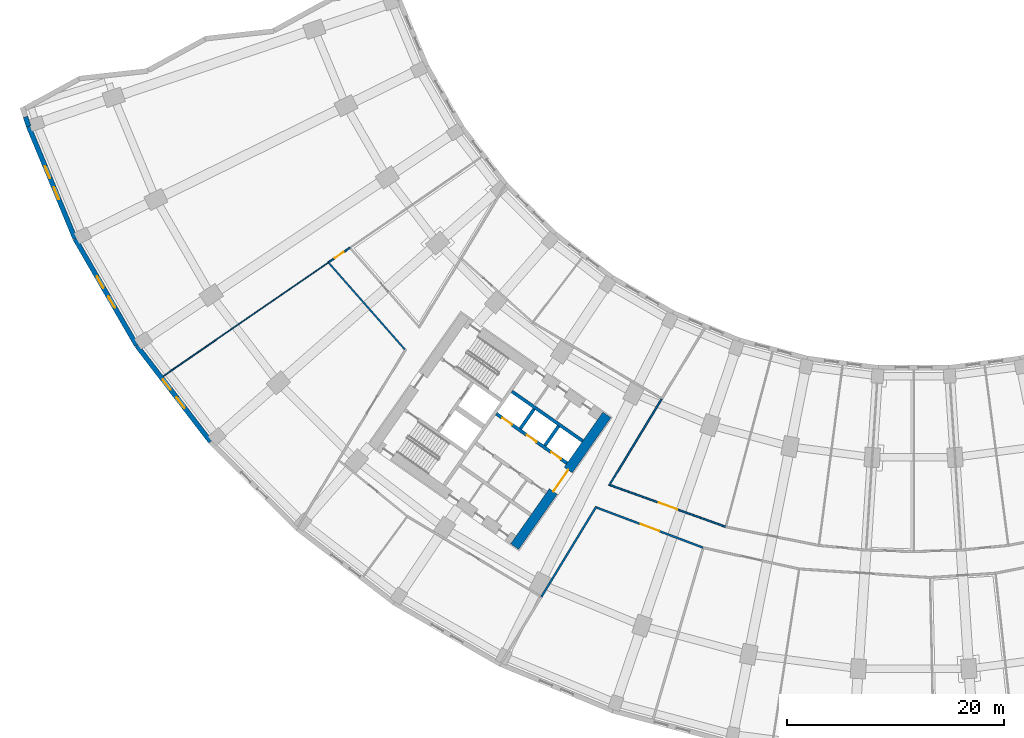
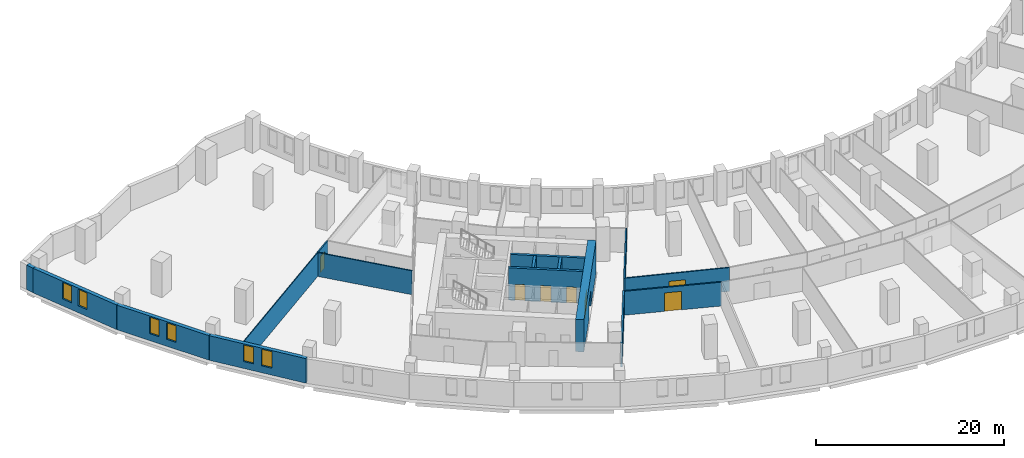
# One storey, part 6 of 19: 16 walls, 7 doors, 6 windows, 13 openings.
"""IFC4 building model written with IfcOpenShell, lengths in metres."""

from ifc_helpers import new_model, si_unit, direction, frame, frame_2d, origin, place, context, subcontext, project, spatial, rectangle, extrude, material, layer, layer_set, type_object, element, fill, save


model = new_model("IFC4")

# Units and contexts
model_context = context("Model", 3, precision=1e-05, world=origin(), true_north=direction((0.0, 1.0)))
body_context = subcontext(model_context, "Body", "Model", "MODEL_VIEW")
ifc_project = project(units=[si_unit("LENGTHUNIT", "METRE"), si_unit("AREAUNIT", "SQUARE_METRE"), si_unit("VOLUMEUNIT", "CUBIC_METRE"), si_unit("PLANEANGLEUNIT", "RADIAN"), si_unit("MASSUNIT", "GRAM", prefix="KILO")], contexts=[model_context])

# Site, building, storey
site_placement = place(None, origin())
site = spatial("IfcSite", under=ifc_project, at=site_placement, CompositionType="ELEMENT")
building_placement = place(site_placement, origin())
building = spatial("IfcBuilding", under=site, at=building_placement, Name="Qamariyya Broadcast Tower", CompositionType="ELEMENT")
storey_placement = place(building_placement, frame((0.0, 0.0, 36.0)))
storey = spatial("IfcBuildingStorey", under=building, at=storey_placement, Name="L05", CompositionType="ELEMENT", Elevation=36.0)

# Wall, opening, door
ifc_material_1 = material(Name="Concrete C70/85", Category="concrete")
ifc_layer_1 = layer(ifc_material_1, 0.89990234375)
ifc_layer_set_1 = layer_set([ifc_layer_1], Name="Core wall 900 mm Concrete C70/85")
wall_type_1 = type_object("IfcWallType", Name="Core wall 900 mm Concrete C70/85", PredefinedType="SHEAR", material=ifc_layer_set_1)
wall_1_placement = place(storey_placement, frame((-36.716796875, -66.3369140625, 0.0), z_axis=(0.0, 0.0, 1.0), x_axis=(0.573577477574, 0.819151315216, 0.0)))
wall_1 = element("IfcWall", 1, at=wall_1_placement, inside=storey, type_object=wall_type_1, Name="k-W-L05-WA", PredefinedType="SHEAR", context=body_context, shape_type="SweptSolid", body=[
    extrude(rectangle(XDim=14.800048828125, YDim=0.89990234375, at=frame_2d((7.39990234375, 0.0))), origin(), (0.0, 0.0, 1.0), 4.199951171875),
])
opening_1_placement = place(wall_1_placement, frame((6.199951171875, 0.0, 0.0)))
opening_1 = element("IfcOpeningElement", 2, at=opening_1_placement, cuts=wall_1, Name="Opening KD3-W1", PredefinedType="OPENING", context=body_context, shape_type="SweptSolid", body=[
    extrude(rectangle(XDim=2.39990234375, YDim=2.10009765625, at=frame_2d((1.199951171875, 1.050048828125))), frame((0.0, 0.4599609375, 0.0), z_axis=(0.0, -1.0, 0.0), x_axis=(1.0, 0.0, 0.0)), (0.0, 0.0, 1.0), 0.919921875),
])
ifc_material_2 = material(Name="Steel fire-resisting door leaf", Category="steel")
door_type_1 = type_object("IfcDoorType", Name="Lift lobby door KD3", OperationType="DOUBLE_DOOR_SINGLE_SWING", PredefinedType="DOOR", material=ifc_material_2)
door_1_placement = place(opening_1_placement, origin())
door_1 = element("IfcDoor", 3, at=door_1_placement, inside=storey, type_object=door_type_1, Name="k-W-L05-WA-D1", OperationType="DOUBLE_DOOR_SINGLE_SWING", OverallHeight=2.10009765625, OverallWidth=2.39990234375, PredefinedType="DOOR", context=body_context, shape_type="SweptSolid", body=[
    extrude(rectangle(XDim=2.39990234375, YDim=2.10009765625, at=frame_2d((1.199951171875, 1.050048828125))), frame((0.0, 0.02490234375, 0.0), z_axis=(0.0, -1.0, 0.0), x_axis=(1.0, 0.0, 0.0)), (0.0, 0.0, 1.0), 0.050048828125),
])
fill(opening_1, door_1)

ifc_material_3 = material(Name="Gypsum board partition")
ifc_layer_2 = layer(ifc_material_3, 0.14990234375)
ifc_layer_set_2 = layer_set([ifc_layer_2], Name="Corridor partition 150 EI 60")
wall_type_2 = type_object("IfcWallType", Name="Corridor partition 150 EI 60", PredefinedType="PARTITIONING", material=ifc_layer_set_2)
wall_2_placement = place(storey_placement, frame((-53.860107421875, -40.186279296875, 0.0), z_axis=(0.0, 0.0, 1.0), x_axis=(0.823653203434, 0.567093819815, 0.0)))
wall_2 = element("IfcWall", 4, at=wall_2_placement, inside=storey, type_object=wall_type_2, Name="Partition L05-002", PredefinedType="PARTITIONING", context=body_context, shape_type="SweptSolid", body=[
    extrude(rectangle(XDim=2.40185546875, YDim=0.14990234375, at=frame_2d((1.200927734375, 0.0))), origin(), (0.0, 0.0, 1.0), 3.10009765625),
])
opening_2_placement = place(wall_2_placement, frame((0.700927734375, 0.0, 0.0)))
opening_2 = element("IfcOpeningElement", 5, at=opening_2_placement, cuts=wall_2, Name="Opening L05-D21", PredefinedType="OPENING", context=body_context, shape_type="SweptSolid", body=[
    extrude(rectangle(XDim=1.0, YDim=2.10009765625, at=frame_2d((0.5, 1.050048828125))), frame((0.0, 0.0849609375, 0.0), z_axis=(0.0, -1.0, 0.0), x_axis=(1.0, 0.0, 0.0)), (0.0, 0.0, 1.0), 0.169921875),
])
ifc_material_4 = material(Name="Timber fire door leaf", Category="wood")
door_type_2 = type_object("IfcDoorType", Name="Fire door 1000 x 2100 FD60", OperationType="NOTDEFINED", PredefinedType="DOOR", material=ifc_material_4)
door_2_placement = place(opening_2_placement, origin())
door_2 = element("IfcDoor", 6, at=door_2_placement, inside=storey, type_object=door_type_2, Name="Door L05-D21", OperationType="SINGLE_SWING_RIGHT", OverallHeight=2.10009765625, OverallWidth=1.0, PredefinedType="DOOR", context=body_context, shape_type="SweptSolid", body=[
    extrude(rectangle(XDim=1.0, YDim=2.10009765625, at=frame_2d((0.5, 1.050048828125))), frame((0.0, 0.02490234375, 0.0), z_axis=(0.0, -1.0, 0.0), x_axis=(1.0, 0.0, 0.0)), (0.0, 0.0, 1.0), 0.050048828125),
])
fill(opening_2, door_2)

# Wall
wall_3_placement = place(storey_placement, frame((-46.831787109375, -48.185302734375, 0.0), z_axis=(0.0, 0.0, 1.0), x_axis=(-0.6600545931, 0.75121763433, 0.0)))
element("IfcWall", 7, at=wall_3_placement, inside=storey, type_object=wall_type_2, Name="Partition L05-007", PredefinedType="PARTITIONING", context=body_context, shape_type="SweptSolid", body=[
    extrude(rectangle(XDim=10.572998046875, YDim=0.14990234375, at=frame_2d((5.28662109375, 0.0))), origin(), (0.0, 0.0, 1.0), 3.10009765625),
])

# Wall, opening, door
wall_4_placement = place(storey_placement, frame((-27.919921875, -60.678466796875, 0.0), z_axis=(0.0, 0.0, 1.0), x_axis=(0.940369024046, -0.340155991589, 0.0)))
wall_4 = element("IfcWall", 8, at=wall_4_placement, inside=storey, type_object=wall_type_2, Name="Partition L05-019", PredefinedType="PARTITIONING", context=body_context, shape_type="SweptSolid", body=[
    extrude(rectangle(XDim=11.304931640625, YDim=0.14990234375, at=frame_2d((5.65234375, 0.0))), origin(), (0.0, 0.0, 1.0), 3.10009765625),
])
opening_3_placement = place(wall_4_placement, frame((4.75244140625, 0.0, 0.0)))
opening_3 = element("IfcOpeningElement", 9, at=opening_3_placement, cuts=wall_4, Name="Opening L05-D08", PredefinedType="OPENING", context=body_context, shape_type="SweptSolid", body=[
    extrude(rectangle(XDim=1.800048828125, YDim=2.10009765625, at=frame_2d((0.89990234375, 1.050048828125))), frame((0.0, 0.0849609375, 0.0), z_axis=(0.0, -1.0, 0.0), x_axis=(1.0, 0.0, 0.0)), (0.0, 0.0, 1.0), 0.169921875),
])
door_type_3 = type_object("IfcDoorType", Name="Double fire door 1800 x 2100 FD60", OperationType="NOTDEFINED", PredefinedType="DOOR", material=ifc_material_4)
door_3_placement = place(opening_3_placement, origin())
door_3 = element("IfcDoor", 10, at=door_3_placement, inside=storey, type_object=door_type_3, Name="Door L05-D08", OperationType="DOUBLE_DOOR_SINGLE_SWING", OverallHeight=2.10009765625, OverallWidth=1.800048828125, PredefinedType="DOOR", context=body_context, shape_type="SweptSolid", body=[
    extrude(rectangle(XDim=1.800048828125, YDim=2.10009765625, at=frame_2d((0.89990234375, 1.050048828125))), frame((0.0, 0.02490234375, 0.0), z_axis=(0.0, -1.0, 0.0), x_axis=(1.0, 0.0, 0.0)), (0.0, 0.0, 1.0), 0.050048828125),
])
fill(opening_3, door_3)

# Wall
wall_5_placement = place(storey_placement, frame((-23.174072265625, -52.732421875, 0.0), z_axis=(0.0, 0.0, 1.0), x_axis=(-0.519577254173, -0.854423476355, 0.0)))
element("IfcWall", 11, at=wall_5_placement, inside=storey, type_object=wall_type_2, Name="Partition L05-021", PredefinedType="PARTITIONING", context=body_context, shape_type="SweptSolid", body=[
    extrude(rectangle(XDim=9.344970703125, YDim=0.14990234375, at=frame_2d((4.67236328125, 0.0))), origin(), (0.0, 0.0, 1.0), 3.10009765625),
])

# Wall, openings, doors
ifc_material_5 = material(Name="Concrete C60/75", Category="concrete")
ifc_layer_3 = layer(ifc_material_5, 0.300048828125)
ifc_layer_set_3 = layer_set([ifc_layer_3], Name="Lift shaft wall 300 mm Concrete C60/75")
wall_type_3 = type_object("IfcWallType", Name="Lift shaft wall 300 mm Concrete C60/75", PredefinedType="SOLIDWALL", material=ifc_layer_set_3)
wall_6_placement = place(storey_placement, frame((-31.89453125, -58.66552734375, 0.0), z_axis=(0.0, 0.0, 1.0), x_axis=(-0.819166993208, 0.573555086491, 0.0)))
wall_6 = element("IfcWall", 12, at=wall_6_placement, inside=storey, type_object=wall_type_3, Name="k-W-L05-NF0", PredefinedType="SOLIDWALL", context=body_context, shape_type="SweptSolid", body=[
    extrude(rectangle(XDim=7.9501953125, YDim=0.300048828125, at=frame_2d((3.97509765625, 0.0))), origin(), (0.0, 0.0, 1.0), 4.199951171875),
])
opening_4_placement = place(wall_6_placement, frame((0.675048828125, 0.0, 0.0)))
opening_4 = element("IfcOpeningElement", 13, at=opening_4_placement, cuts=wall_6, Name="Opening LD", PredefinedType="OPENING", context=body_context, shape_type="SweptSolid", body=[
    extrude(rectangle(XDim=1.10009765625, YDim=2.10009765625, at=frame_2d((0.550048828125, 1.050048828125))), frame((0.0, 0.159912109375, 0.0), z_axis=(0.0, -1.0, 0.0), x_axis=(1.0, 0.0, 0.0)), (0.0, 0.0, 1.0), 0.320068359375),
])
opening_5_placement = place(wall_6_placement, frame((3.425048828125, 0.0, 0.0)))
opening_5 = element("IfcOpeningElement", 14, at=opening_5_placement, cuts=wall_6, Name="Opening LD", PredefinedType="OPENING", context=body_context, shape_type="SweptSolid", body=[
    extrude(rectangle(XDim=1.10009765625, YDim=2.10009765625, at=frame_2d((0.550048828125, 1.050048828125))), frame((0.0, 0.159912109375, 0.0), z_axis=(0.0, -1.0, 0.0), x_axis=(1.0, 0.0, 0.0)), (0.0, 0.0, 1.0), 0.320068359375),
])
opening_6_placement = place(wall_6_placement, frame((6.175048828125, 0.0, 0.0)))
opening_6 = element("IfcOpeningElement", 15, at=opening_6_placement, cuts=wall_6, Name="Opening LD", PredefinedType="OPENING", context=body_context, shape_type="SweptSolid", body=[
    extrude(rectangle(XDim=1.10009765625, YDim=2.10009765625, at=frame_2d((0.550048828125, 1.050048828125))), frame((0.0, 0.159912109375, 0.0), z_axis=(0.0, -1.0, 0.0), x_axis=(1.0, 0.0, 0.0)), (0.0, 0.0, 1.0), 0.320068359375),
])
door_type_4 = type_object("IfcDoorType", Name="Lift landing door LD", OperationType="DOUBLE_DOOR_SLIDING", PredefinedType="DOOR", material=ifc_material_2)
door_4_placement = place(opening_4_placement, origin())
door_4 = element("IfcDoor", 16, at=door_4_placement, inside=storey, type_object=door_type_4, Name="k-W-L05-NF0-D2", OperationType="DOUBLE_DOOR_SLIDING", OverallHeight=2.10009765625, OverallWidth=1.10009765625, PredefinedType="DOOR", context=body_context, shape_type="SweptSolid", body=[
    extrude(rectangle(XDim=1.10009765625, YDim=2.10009765625, at=frame_2d((0.550048828125, 1.050048828125))), frame((0.0, 0.02490234375, 0.0), z_axis=(0.0, -1.0, 0.0), x_axis=(1.0, 0.0, 0.0)), (0.0, 0.0, 1.0), 0.050048828125),
])
fill(opening_4, door_4)
door_5_placement = place(opening_5_placement, origin())
door_5 = element("IfcDoor", 17, at=door_5_placement, inside=storey, type_object=door_type_4, Name="k-W-L05-NF0-D3", OperationType="DOUBLE_DOOR_SLIDING", OverallHeight=2.10009765625, OverallWidth=1.10009765625, PredefinedType="DOOR", context=body_context, shape_type="SweptSolid", body=[
    extrude(rectangle(XDim=1.10009765625, YDim=2.10009765625, at=frame_2d((0.550048828125, 1.050048828125))), frame((0.0, 0.02490234375, 0.0), z_axis=(0.0, -1.0, 0.0), x_axis=(1.0, 0.0, 0.0)), (0.0, 0.0, 1.0), 0.050048828125),
])
fill(opening_5, door_5)
door_6_placement = place(opening_6_placement, origin())
door_6 = element("IfcDoor", 18, at=door_6_placement, inside=storey, type_object=door_type_4, Name="k-W-L05-NF0-D4", OperationType="DOUBLE_DOOR_SLIDING", OverallHeight=2.10009765625, OverallWidth=1.10009765625, PredefinedType="DOOR", context=body_context, shape_type="SweptSolid", body=[
    extrude(rectangle(XDim=1.10009765625, YDim=2.10009765625, at=frame_2d((0.550048828125, 1.050048828125))), frame((0.0, 0.02490234375, 0.0), z_axis=(0.0, -1.0, 0.0), x_axis=(1.0, 0.0, 0.0)), (0.0, 0.0, 1.0), 0.050048828125),
])
fill(opening_6, door_6)

# Walls
wall_7_placement = place(storey_placement, frame((-30.460693359375, -56.61767578125, 0.0), z_axis=(0.0, 0.0, 1.0), x_axis=(-0.819142461705, 0.573590121456, 0.0)))
element("IfcWall", 19, at=wall_7_placement, inside=storey, type_object=wall_type_3, Name="k-W-L05-NB0", PredefinedType="SOLIDWALL", context=body_context, shape_type="SweptSolid", body=[
    extrude(rectangle(XDim=7.949951171875, YDim=0.300048828125, at=frame_2d((3.97509765625, 0.0))), origin(), (0.0, 0.0, 1.0), 4.199951171875),
])
wall_8_placement = place(storey_placement, frame((-33.9384765625, -57.051513671875, 0.0), z_axis=(0.0, 0.0, 1.0), x_axis=(0.573581496053, 0.819148501424, 0.0)))
element("IfcWall", 20, at=wall_8_placement, inside=storey, type_object=wall_type_3, Name="k-W-L05-ND0", PredefinedType="SOLIDWALL", context=body_context, shape_type="SweptSolid", body=[
    extrude(rectangle(XDim=2.2001953125, YDim=0.300048828125, at=frame_2d((1.10009765625, 0.0))), origin(), (0.0, 0.0, 1.0), 4.199951171875),
])
wall_9_placement = place(storey_placement, frame((-36.19091796875, -55.47412109375, 0.0), z_axis=(0.0, 0.0, 1.0), x_axis=(0.573507030513, 0.819200638399, 0.0)))
element("IfcWall", 21, at=wall_9_placement, inside=storey, type_object=wall_type_3, Name="k-W-L05-ND1", PredefinedType="SOLIDWALL", context=body_context, shape_type="SweptSolid", body=[
    extrude(rectangle(XDim=2.199951171875, YDim=0.300048828125, at=frame_2d((1.10009765625, 0.0))), origin(), (0.0, 0.0, 1.0), 4.199951171875),
])
ifc_layer_4 = layer(ifc_material_3, 0.10009765625)
ifc_layer_set_4 = layer_set([ifc_layer_4], Name="Partition 100")
wall_type_4 = type_object("IfcWallType", Name="Partition 100", PredefinedType="PARTITIONING", material=ifc_layer_set_4)
wall_10_placement = place(storey_placement, frame((-69.05419921875, -50.646240234375, 0.0), z_axis=(0.0, 0.0, 1.0), x_axis=(0.82368687208, 0.567044916002, 0.0)))
element("IfcWall", 22, at=wall_10_placement, inside=storey, type_object=wall_type_4, Name="Partition L05-001", PredefinedType="PARTITIONING", context=body_context, shape_type="SweptSolid", body=[
    extrude(rectangle(XDim=18.446533203125, YDim=0.10009765625, at=frame_2d((9.22314453125, 0.0))), origin(), (0.0, 0.0, 1.0), 3.10009765625),
])
ifc_material_6 = material(Name="Precast concrete C40/50 with terracotta facing", Category="masonry")
ifc_layer_5 = layer(ifc_material_6, 0.449951171875)
ifc_layer_set_5 = layer_set([ifc_layer_5], Name="Precast concrete C40/50 wall 450, terracotta faced")
wall_type_5 = type_object("IfcWallType", Name="Precast concrete C40/50 wall 450, terracotta faced", PredefinedType="SOLIDWALL", material=ifc_layer_set_5)
wall_11_placement = place(storey_placement, frame((-81.740234375, -26.7958984375, 0.0), z_axis=(0.0, 0.0, 1.0), x_axis=(0.311634105085, -0.950202180879, 0.0)))
element("IfcWall", 23, at=wall_11_placement, inside=storey, type_object=wall_type_5, Name="e-wl-L05-out01", PredefinedType="SOLIDWALL", context=body_context, shape_type="SweptSolid", body=[
    extrude(rectangle(XDim=0.90966796875, YDim=0.449951171875, at=frame_2d((0.454833984375, 0.0))), origin(), (0.0, 0.0, 1.0), 3.199951171875),
])

# Wall, openings, windows
wall_12_placement = place(storey_placement, frame((-81.449462890625, -27.675537109375, 0.0), z_axis=(0.0, 0.0, 1.0), x_axis=(0.382700611107, -0.923872416656, 0.0)))
wall_12 = element("IfcWall", 24, at=wall_12_placement, inside=storey, type_object=wall_type_5, Name="e-wl-L05-out10", PredefinedType="SOLIDWALL", context=body_context, shape_type="SweptSolid", body=[
    extrude(rectangle(XDim=11.167724609375, YDim=0.449951171875, at=frame_2d((5.583984375, 0.0))), origin(), (0.0, 0.0, 1.0), 3.199951171875),
])
opening_7_placement = place(wall_12_placement, frame((3.95068359375, 0.0, 0.89990234375)))
opening_7 = element("IfcOpeningElement", 25, at=opening_7_placement, cuts=wall_12, Name="Opening W3", PredefinedType="OPENING", context=body_context, shape_type="SweptSolid", body=[
    extrude(rectangle(XDim=1.199951171875, YDim=2.14990234375, at=frame_2d((0.60009765625, 1.074951171875))), frame((0.0, 0.23486328125, 0.0), z_axis=(0.0, -1.0, 0.0), x_axis=(1.0, 0.0, 0.0)), (0.0, 0.0, 1.0), 0.469970703125),
])
opening_8_placement = place(wall_12_placement, frame((6.050537109375, 0.0, 0.89990234375)))
opening_8 = element("IfcOpeningElement", 26, at=opening_8_placement, cuts=wall_12, Name="Opening W3", PredefinedType="OPENING", context=body_context, shape_type="SweptSolid", body=[
    extrude(rectangle(XDim=1.199951171875, YDim=2.14990234375, at=frame_2d((0.60009765625, 1.074951171875))), frame((0.0, 0.23486328125, 0.0), z_axis=(0.0, -1.0, 0.0), x_axis=(1.0, 0.0, 0.0)), (0.0, 0.0, 1.0), 0.469970703125),
])
ifc_material_7 = material(Name="Clear low-e double glazed unit in aluminium frame", Category="aluminium")
window_type = type_object("IfcWindowType", Name="Podium window 1200 x 2150", PartitioningType="SINGLE_PANEL", PredefinedType="WINDOW", material=ifc_material_7)
window_1_placement = place(opening_7_placement, origin())
window_1 = element("IfcWindow", 27, at=window_1_placement, inside=storey, type_object=window_type, Name="e-w-L05-out01a", OverallHeight=2.14990234375, OverallWidth=1.199951171875, PartitioningType="SINGLE_PANEL", PredefinedType="WINDOW", context=body_context, shape_type="SweptSolid", body=[
    extrude(rectangle(XDim=1.199951171875, YDim=2.14990234375, at=frame_2d((0.60009765625, 1.074951171875))), frame((0.0, 0.030029296875, 0.0), z_axis=(0.0, -1.0, 0.0), x_axis=(1.0, 0.0, 0.0)), (0.0, 0.0, 1.0), 0.06005859375),
])
fill(opening_7, window_1)
window_2_placement = place(opening_8_placement, origin())
window_2 = element("IfcWindow", 28, at=window_2_placement, inside=storey, type_object=window_type, Name="e-w-L05-out01b", OverallHeight=2.14990234375, OverallWidth=1.199951171875, PartitioningType="SINGLE_PANEL", PredefinedType="WINDOW", context=body_context, shape_type="SweptSolid", body=[
    extrude(rectangle(XDim=1.199951171875, YDim=2.14990234375, at=frame_2d((0.60009765625, 1.074951171875))), frame((0.0, 0.030029296875, 0.0), z_axis=(0.0, -1.0, 0.0), x_axis=(1.0, 0.0, 0.0)), (0.0, 0.0, 1.0), 0.06005859375),
])
fill(opening_8, window_2)

wall_13_placement = place(storey_placement, frame((-77.16796875, -38.021728515625, 0.0), z_axis=(0.0, 0.0, 1.0), x_axis=(0.500001430823, -0.866024577697, 0.0)))
wall_13 = element("IfcWall", 29, at=wall_13_placement, inside=storey, type_object=wall_type_5, Name="e-wl-L05-out20", PredefinedType="SOLIDWALL", context=body_context, shape_type="SweptSolid", body=[
    extrude(rectangle(XDim=11.3125, YDim=0.449951171875, at=frame_2d((5.65625, 0.0))), origin(), (0.0, 0.0, 1.0), 3.199951171875),
])
opening_9_placement = place(wall_13_placement, frame((4.00634765625, 0.0, 0.89990234375)))
opening_9 = element("IfcOpeningElement", 30, at=opening_9_placement, cuts=wall_13, Name="Opening W3", PredefinedType="OPENING", context=body_context, shape_type="SweptSolid", body=[
    extrude(rectangle(XDim=1.199951171875, YDim=2.14990234375, at=frame_2d((0.60009765625, 1.074951171875))), frame((0.0, 0.23486328125, 0.0), z_axis=(0.0, -1.0, 0.0), x_axis=(1.0, 0.0, 0.0)), (0.0, 0.0, 1.0), 0.469970703125),
])
opening_10_placement = place(wall_13_placement, frame((6.106201171875, 0.0, 0.89990234375)))
opening_10 = element("IfcOpeningElement", 31, at=opening_10_placement, cuts=wall_13, Name="Opening W3", PredefinedType="OPENING", context=body_context, shape_type="SweptSolid", body=[
    extrude(rectangle(XDim=1.199951171875, YDim=2.14990234375, at=frame_2d((0.60009765625, 1.074951171875))), frame((0.0, 0.23486328125, 0.0), z_axis=(0.0, -1.0, 0.0), x_axis=(1.0, 0.0, 0.0)), (0.0, 0.0, 1.0), 0.469970703125),
])
window_3_placement = place(opening_9_placement, origin())
window_3 = element("IfcWindow", 32, at=window_3_placement, inside=storey, type_object=window_type, Name="e-w-L05-out02a", OverallHeight=2.14990234375, OverallWidth=1.199951171875, PartitioningType="SINGLE_PANEL", PredefinedType="WINDOW", context=body_context, shape_type="SweptSolid", body=[
    extrude(rectangle(XDim=1.199951171875, YDim=2.14990234375, at=frame_2d((0.60009765625, 1.074951171875))), frame((0.0, 0.030029296875, 0.0), z_axis=(0.0, -1.0, 0.0), x_axis=(1.0, 0.0, 0.0)), (0.0, 0.0, 1.0), 0.06005859375),
])
fill(opening_9, window_3)
window_4_placement = place(opening_10_placement, origin())
window_4 = element("IfcWindow", 33, at=window_4_placement, inside=storey, type_object=window_type, Name="e-w-L05-out02b", OverallHeight=2.14990234375, OverallWidth=1.199951171875, PartitioningType="SINGLE_PANEL", PredefinedType="WINDOW", context=body_context, shape_type="SweptSolid", body=[
    extrude(rectangle(XDim=1.199951171875, YDim=2.14990234375, at=frame_2d((0.60009765625, 1.074951171875))), frame((0.0, 0.030029296875, 0.0), z_axis=(0.0, -1.0, 0.0), x_axis=(1.0, 0.0, 0.0)), (0.0, 0.0, 1.0), 0.06005859375),
])
fill(opening_10, window_4)

wall_14_placement = place(storey_placement, frame((-71.490966796875, -47.83935546875, 0.0), z_axis=(0.0, 0.0, 1.0), x_axis=(0.608758773695, -0.793355377778, 0.0)))
wall_14 = element("IfcWall", 34, at=wall_14_placement, inside=storey, type_object=wall_type_5, Name="e-wl-L05-out30", PredefinedType="SOLIDWALL", context=body_context, shape_type="SweptSolid", body=[
    extrude(rectangle(XDim=11.134765625, YDim=0.449951171875, at=frame_2d((5.5673828125, 0.0))), origin(), (0.0, 0.0, 1.0), 3.199951171875),
])
opening_11_placement = place(wall_14_placement, frame((3.917236328125, 0.0, 0.89990234375)))
opening_11 = element("IfcOpeningElement", 35, at=opening_11_placement, cuts=wall_14, Name="Opening W3", PredefinedType="OPENING", context=body_context, shape_type="SweptSolid", body=[
    extrude(rectangle(XDim=1.199951171875, YDim=2.14990234375, at=frame_2d((0.60009765625, 1.074951171875))), frame((0.0, 0.23486328125, 0.0), z_axis=(0.0, -1.0, 0.0), x_axis=(1.0, 0.0, 0.0)), (0.0, 0.0, 1.0), 0.469970703125),
])
opening_12_placement = place(wall_14_placement, frame((6.017333984375, 0.0, 0.89990234375)))
opening_12 = element("IfcOpeningElement", 36, at=opening_12_placement, cuts=wall_14, Name="Opening W3", PredefinedType="OPENING", context=body_context, shape_type="SweptSolid", body=[
    extrude(rectangle(XDim=1.199951171875, YDim=2.14990234375, at=frame_2d((0.60009765625, 1.074951171875))), frame((0.0, 0.23486328125, 0.0), z_axis=(0.0, -1.0, 0.0), x_axis=(1.0, 0.0, 0.0)), (0.0, 0.0, 1.0), 0.469970703125),
])
window_5_placement = place(opening_11_placement, origin())
window_5 = element("IfcWindow", 37, at=window_5_placement, inside=storey, type_object=window_type, Name="e-w-L05-out03a", OverallHeight=2.14990234375, OverallWidth=1.199951171875, PartitioningType="SINGLE_PANEL", PredefinedType="WINDOW", context=body_context, shape_type="SweptSolid", body=[
    extrude(rectangle(XDim=1.199951171875, YDim=2.14990234375, at=frame_2d((0.60009765625, 1.074951171875))), frame((0.0, 0.030029296875, 0.0), z_axis=(0.0, -1.0, 0.0), x_axis=(1.0, 0.0, 0.0)), (0.0, 0.0, 1.0), 0.06005859375),
])
fill(opening_11, window_5)
window_6_placement = place(opening_12_placement, origin())
window_6 = element("IfcWindow", 38, at=window_6_placement, inside=storey, type_object=window_type, Name="e-w-L05-out03b", OverallHeight=2.14990234375, OverallWidth=1.199951171875, PartitioningType="SINGLE_PANEL", PredefinedType="WINDOW", context=body_context, shape_type="SweptSolid", body=[
    extrude(rectangle(XDim=1.199951171875, YDim=2.14990234375, at=frame_2d((0.60009765625, 1.074951171875))), frame((0.0, 0.030029296875, 0.0), z_axis=(0.0, -1.0, 0.0), x_axis=(1.0, 0.0, 0.0)), (0.0, 0.0, 1.0), 0.06005859375),
])
fill(opening_12, window_6)

# Wall
ifc_layer_6 = layer(ifc_material_3, 0.179931640625)
ifc_layer_set_6 = layer_set([ifc_layer_6], Name="Studio acoustic partition 180 EI 60")
wall_type_6 = type_object("IfcWallType", Name="Studio acoustic partition 180 EI 60", PredefinedType="PARTITIONING", material=ifc_layer_set_6)
wall_15_placement = place(storey_placement, frame((-29.19873046875, -62.639404296875, 0.0), z_axis=(0.0, 0.0, 1.0), x_axis=(-0.519569231187, -0.854428355103, 0.0)))
element("IfcWall", 39, at=wall_15_placement, inside=storey, type_object=wall_type_6, Name="Partition L05-017", PredefinedType="PARTITIONING", context=body_context, shape_type="SweptSolid", body=[
    extrude(rectangle(XDim=9.7412109375, YDim=0.179931640625, at=frame_2d((4.87060546875, 0.0))), origin(), (0.0, 0.0, 1.0), 3.10009765625),
])

# Wall, opening, door
wall_16_placement = place(storey_placement, frame((-19.365966796875, -66.434814453125, 0.0), z_axis=(0.0, 0.0, 1.0), x_axis=(-0.935901890315, 0.352260772305, 0.0)))
wall_16 = element("IfcWall", 40, at=wall_16_placement, inside=storey, type_object=wall_type_6, Name="Partition L05-018", PredefinedType="PARTITIONING", context=body_context, shape_type="SweptSolid", body=[
    extrude(rectangle(XDim=10.466064453125, YDim=0.179931640625, at=frame_2d((5.23291015625, 0.0))), origin(), (0.0, 0.0, 1.0), 3.10009765625),
])
opening_13_placement = place(wall_16_placement, frame((4.3330078125, 0.0, 0.0)))
opening_13 = element("IfcOpeningElement", 41, at=opening_13_placement, cuts=wall_16, Name="Opening L05-D01", PredefinedType="OPENING", context=body_context, shape_type="SweptSolid", body=[
    extrude(rectangle(XDim=1.800048828125, YDim=2.39990234375, at=frame_2d((0.89990234375, 1.199951171875))), frame((0.0, 0.099853515625, 0.0), z_axis=(0.0, -1.0, 0.0), x_axis=(1.0, 0.0, 0.0)), (0.0, 0.0, 1.0), 0.199951171875),
])
ifc_material_8 = material(Name="Acoustic timber door leaf", Category="wood")
door_type_5 = type_object("IfcDoorType", Name="Studio double door 1800 x 2400 FD60", OperationType="NOTDEFINED", PredefinedType="DOOR", material=ifc_material_8)
door_7_placement = place(opening_13_placement, origin())
door_7 = element("IfcDoor", 42, at=door_7_placement, inside=storey, type_object=door_type_5, Name="Door L05-D01", OperationType="DOUBLE_DOOR_SINGLE_SWING", OverallHeight=2.39990234375, OverallWidth=1.800048828125, PredefinedType="DOOR", context=body_context, shape_type="SweptSolid", body=[
    extrude(rectangle(XDim=1.800048828125, YDim=2.39990234375, at=frame_2d((0.89990234375, 1.199951171875))), frame((0.0, 0.02490234375, 0.0), z_axis=(0.0, -1.0, 0.0), x_axis=(1.0, 0.0, 0.0)), (0.0, 0.0, 1.0), 0.050048828125),
])
fill(opening_13, door_7)

save(model, "model.ifc")
